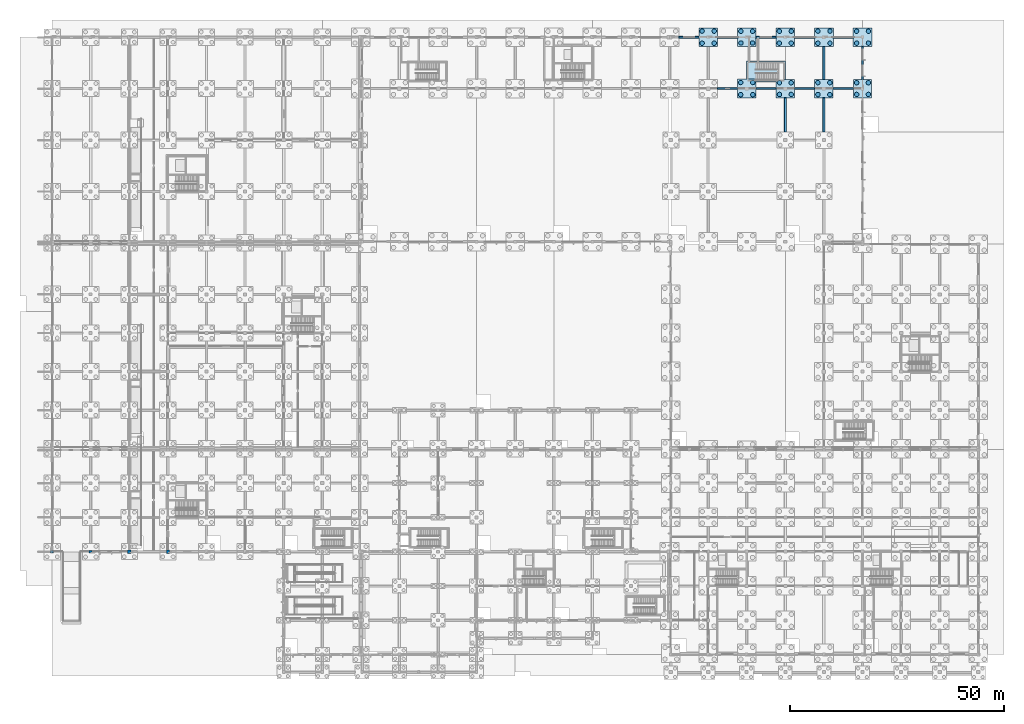
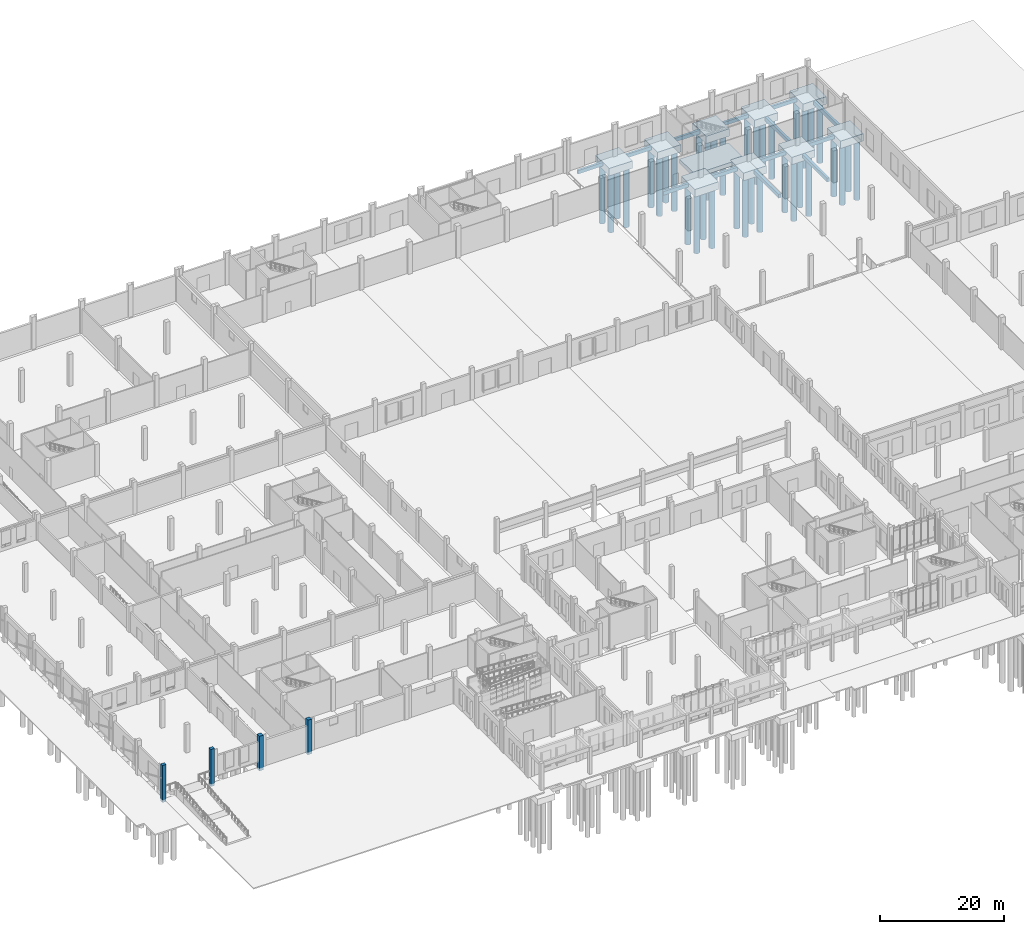
# One storey, part 23 of 99: 36 piles, 23 footings, 4 columns.
"""IFC4 building model written with IfcOpenShell, lengths in metres."""

from ifc_helpers import new_model, si_unit, direction, frame, origin, origin_2d, place, context, subcontext, project, spatial, polyline, rectangle, circle, outline, extrude, material, layer, layer_set, material_profile, profile_set, type_object, element, save


model = new_model("IFC4")

# Units and contexts
model_context = context("Model", 3, precision=1e-05, world=origin(), true_north=direction((0.0, 1.0)))
body_context = subcontext(model_context, "Body", "Model", "MODEL_VIEW")
ifc_project = project(units=[si_unit("LENGTHUNIT", "METRE"), si_unit("AREAUNIT", "SQUARE_METRE"), si_unit("VOLUMEUNIT", "CUBIC_METRE"), si_unit("PLANEANGLEUNIT", "RADIAN"), si_unit("MASSUNIT", "GRAM", prefix="KILO")], contexts=[model_context])

# Site, building, storey
site_placement = place(None, origin())
site = spatial("IfcSite", under=ifc_project, at=site_placement, CompositionType="ELEMENT")
building_placement = place(site_placement, origin())
building = spatial("IfcBuilding", under=site, at=building_placement, Name="Zacnel Wholesale Market", CompositionType="ELEMENT")
storey_placement = place(building_placement, origin())
storey = spatial("IfcBuildingStorey", under=building, at=storey_placement, Name="L01", CompositionType="ELEMENT", Elevation=0.0)

# Footings
ifc_material_1 = material(Name="Concrete C35/45", Category="concrete")
ifc_material_profile_1 = material_profile(ifc_material_1, rectangle(XDim=0.39990234375, YDim=0.699951171875, at=origin_2d()), Name="CT 400x700")
ifc_profile_set_1 = profile_set([ifc_material_profile_1], Name="Concrete C35/45")
footing_type_1 = type_object("IfcFootingType", Name="FTG-CT400X700", PredefinedType="FOOTING_BEAM", material=ifc_profile_set_1)
footing_1_placement = place(storey_placement, frame((155.1650390625, 132.0, -0.85009765625), z_axis=(1.0, 0.0, 0.0), x_axis=(0.0, 1.0, 0.0)))
element("IfcFooting", 1, at=footing_1_placement, inside=storey, type_object=footing_type_1, Name="Ground tie beam CT-X-0489", PredefinedType="FOOTING_BEAM", context=body_context, shape_type="SweptSolid", body=[
    extrude(rectangle(XDim=0.39990234375, YDim=0.699951171875, at=origin_2d()), origin(), (0.0, 0.0, 1.0), 4.64501953125),
])
footing_2_placement = place(storey_placement, frame((164.18994140625, 132.0, -0.85009765625), z_axis=(1.0, 0.0, 0.0), x_axis=(0.0, 1.0, 0.0)))
element("IfcFooting", 2, at=footing_2_placement, inside=storey, type_object=footing_type_1, Name="Ground tie beam CT-X-0490", PredefinedType="FOOTING_BEAM", context=body_context, shape_type="SweptSolid", body=[
    extrude(rectangle(XDim=0.39990234375, YDim=0.699951171875, at=origin_2d()), origin(), (0.0, 0.0, 1.0), 4.670166015625),
])
for number, where, z_axis, x_axis, name in (
    (3, (173.139892578125, 132.0, -0.85009765625), (1.0, 0.0, 0.0), (0.0, 1.0, 0.0), "Ground tie beam CT-X-0491"),
    (4, (182.1650390625, 132.0, -0.85009765625), (1.0, 0.0, 0.0), (0.0, 1.0, 0.0), "Ground tie beam CT-X-0492"),
):
    element("IfcFooting", number, at=place(storey_placement, frame(where, z_axis=z_axis, x_axis=x_axis)), inside=storey, type_object=footing_type_1, Name=name, PredefinedType="FOOTING_BEAM", context=body_context, shape_type="SweptSolid", body=[
        extrude(rectangle(XDim=0.39990234375, YDim=0.699951171875, at=origin_2d()), origin(), (0.0, 0.0, 1.0), 4.695068359375),
    ])
footing_3_placement = place(storey_placement, frame((146.18994140625, 144.0, -0.85009765625), z_axis=(1.0, 0.0, 0.0), x_axis=(0.0, 1.0, 0.0)))
element("IfcFooting", 5, at=footing_3_placement, inside=storey, type_object=footing_type_1, Name="Ground tie beam CT-X-0509", PredefinedType="FOOTING_BEAM", context=body_context, shape_type="SweptSolid", body=[
    extrude(rectangle(XDim=0.39990234375, YDim=0.699951171875, at=origin_2d()), origin(), (0.0, 0.0, 1.0), 4.6201171875),
])
footing_4_placement = place(storey_placement, frame((155.18994140625, 144.0, -0.85009765625), z_axis=(1.0, 0.0, 0.0), x_axis=(0.0, 1.0, 0.0)))
element("IfcFooting", 6, at=footing_4_placement, inside=storey, type_object=footing_type_1, Name="Ground tie beam CT-X-0510", PredefinedType="FOOTING_BEAM", context=body_context, shape_type="SweptSolid", body=[
    extrude(rectangle(XDim=0.39990234375, YDim=0.699951171875, at=origin_2d()), origin(), (0.0, 0.0, 1.0), 4.670166015625),
])
footing_5_placement = place(storey_placement, frame((164.139892578125, 144.0, -0.85009765625), z_axis=(1.0, 0.0, 0.0), x_axis=(0.0, 1.0, 0.0)))
element("IfcFooting", 7, at=footing_5_placement, inside=storey, type_object=footing_type_1, Name="Ground tie beam CT-X-0511", PredefinedType="FOOTING_BEAM", context=body_context, shape_type="SweptSolid", body=[
    extrude(rectangle(XDim=0.39990234375, YDim=0.699951171875, at=origin_2d()), origin(), (0.0, 0.0, 1.0), 4.695068359375),
])
for number, where, z_axis, x_axis, name in (
    (8, (173.1650390625, 144.0, -0.85009765625), (1.0, 0.0, 0.0), (0.0, 1.0, 0.0), "Ground tie beam CT-X-0512"),
    (9, (182.18994140625, 144.0, -0.85009765625), (1.0, 0.0, 0.0), (0.0, 1.0, 0.0), "Ground tie beam CT-X-0513"),
):
    element("IfcFooting", number, at=place(storey_placement, frame(where, z_axis=z_axis, x_axis=x_axis)), inside=storey, type_object=footing_type_1, Name=name, PredefinedType="FOOTING_BEAM", context=body_context, shape_type="SweptSolid", body=[
        extrude(rectangle(XDim=0.39990234375, YDim=0.699951171875, at=origin_2d()), origin(), (0.0, 0.0, 1.0), 4.64501953125),
    ])
ifc_material_2 = material(Name="Concrete C35/45", Category="concrete")
ifc_material_profile_2 = material_profile(ifc_material_2, rectangle(XDim=0.449951171875, YDim=0.75, at=origin_2d()), Name="CT 450x750")
ifc_profile_set_2 = profile_set([ifc_material_profile_2], Name="Concrete C35/45")
footing_type_2 = type_object("IfcFootingType", Name="FTG-CT450X750", PredefinedType="FOOTING_BEAM", material=ifc_profile_set_2)
footing_6_placement = place(storey_placement, frame((171.0, 121.889892578125, -0.875), z_axis=(0.0, 1.0, 0.0), x_axis=(-1.0, 0.0, 0.0)))
element("IfcFooting", 10, at=footing_6_placement, inside=storey, type_object=footing_type_2, Name="Ground tie beam CT-Y-0179", PredefinedType="FOOTING_BEAM", context=body_context, shape_type="SweptSolid", body=[
    extrude(rectangle(XDim=0.449951171875, YDim=0.75, at=origin_2d()), origin(), (0.0, 0.0, 1.0), 7.97021484375),
])
footing_7_placement = place(storey_placement, frame((180.0, 121.9150390625, -0.875), z_axis=(0.0, 1.0, 0.0), x_axis=(-1.0, 0.0, 0.0)))
element("IfcFooting", 11, at=footing_7_placement, inside=storey, type_object=footing_type_2, Name="Ground tie beam CT-Y-0193", PredefinedType="FOOTING_BEAM", context=body_context, shape_type="SweptSolid", body=[
    extrude(rectangle(XDim=0.449951171875, YDim=0.75, at=origin_2d()), origin(), (0.0, 0.0, 1.0), 7.919921875),
])
footing_8_placement = place(storey_placement, frame((180.0, 134.1650390625, -0.875), z_axis=(0.0, 1.0, 0.0), x_axis=(-1.0, 0.0, 0.0)))
element("IfcFooting", 12, at=footing_8_placement, inside=storey, type_object=footing_type_2, Name="Ground tie beam CT-Y-0194", PredefinedType="FOOTING_BEAM", context=body_context, shape_type="SweptSolid", body=[
    extrude(rectangle(XDim=0.449951171875, YDim=0.75, at=origin_2d()), origin(), (0.0, 0.0, 1.0), 7.64501953125),
])
footing_9_placement = place(storey_placement, frame((189.0, 134.139892578125, -0.875), z_axis=(0.0, 1.0, 0.0), x_axis=(-1.0, 0.0, 0.0)))
element("IfcFooting", 13, at=footing_9_placement, inside=storey, type_object=footing_type_2, Name="Ground tie beam CT-Y-0205", PredefinedType="FOOTING_BEAM", context=body_context, shape_type="SweptSolid", body=[
    extrude(rectangle(XDim=0.449951171875, YDim=0.75, at=origin_2d()), origin(), (0.0, 0.0, 1.0), 7.695068359375),
])
ifc_material_3 = material(Name="Concrete C35/45", Category="concrete")
ifc_layer_1 = layer(ifc_material_3, 1.449951171875)
ifc_layer_set_1 = layer_set([ifc_layer_1], Name="Concrete C35/45")
footing_type_3 = type_object("IfcFootingType", Name="FTG-PC-4280X4280X1450", PredefinedType="PILE_CAP", material=ifc_layer_set_1)
for number, where, z_axis, x_axis, name in (
    (14, (162.0, 144.0, -1.9501953125), (0.0, 0.0, 1.0), (1.0, 0.0, 0.0), "Pile cap PC-16 (STR-PC-231)"),
    (15, (189.0, 132.0, -1.9501953125), (0.0, 0.0, 1.0), (1.0, 0.0, 0.0), "Pile cap PC-16 (STR-PC-267)"),
):
    element("IfcFooting", number, at=place(storey_placement, frame(where, z_axis=z_axis, x_axis=x_axis)), inside=storey, type_object=footing_type_3, Name=name, PredefinedType="PILE_CAP", context=body_context, shape_type="SweptSolid", body=[
        extrude(rectangle(XDim=4.280029296875, YDim=4.280029296875, at=origin_2d()), origin(), (0.0, 0.0, 1.0), 1.449951171875),
    ])
ifc_material_4 = material(Name="Concrete C35/45", Category="concrete")
ifc_layer_2 = layer(ifc_material_4, 1.5)
ifc_layer_set_2 = layer_set([ifc_layer_2], Name="Concrete C35/45")
footing_type_4 = type_object("IfcFootingType", Name="FTG-PC-4280X4280X1500", PredefinedType="PILE_CAP", material=ifc_layer_set_2)
footing_10_placement = place(storey_placement, frame((171.0, 132.0, -2.0), z_axis=(0.0, 0.0, 1.0), x_axis=(1.0, 0.0, 0.0)))
element("IfcFooting", 16, at=footing_10_placement, inside=storey, type_object=footing_type_4, Name="Pile cap PC-15 (STR-PC-240)", PredefinedType="PILE_CAP", context=body_context, shape_type="SweptSolid", body=[
    extrude(rectangle(XDim=4.280029296875, YDim=4.280029296875, at=origin_2d()), origin(), (0.0, 0.0, 1.0), 1.5),
])
ifc_material_5 = material(Name="Concrete C35/45", Category="concrete")
ifc_layer_3 = layer(ifc_material_5, 1.449951171875)
ifc_layer_set_3 = layer_set([ifc_layer_3], Name="Concrete C35/45")
footing_type_5 = type_object("IfcFootingType", Name="FTG-PC-4330X4330X1450", PredefinedType="PILE_CAP", material=ifc_layer_set_3)
for number, where, z_axis, x_axis, name in (
    (17, (171.0, 144.0, -1.9501953125), (0.0, 0.0, 1.0), (1.0, 0.0, 0.0), "Pile cap PC-19 (STR-PC-241)"),
    (18, (180.0, 132.0, -1.9501953125), (0.0, 0.0, 1.0), (1.0, 0.0, 0.0), "Pile cap PC-19 (STR-PC-253)"),
):
    element("IfcFooting", number, at=place(storey_placement, frame(where, z_axis=z_axis, x_axis=x_axis)), inside=storey, type_object=footing_type_5, Name=name, PredefinedType="PILE_CAP", context=body_context, shape_type="SweptSolid", body=[
        extrude(rectangle(XDim=4.330078125, YDim=4.330078125, at=origin_2d()), origin(), (0.0, 0.0, 1.0), 1.449951171875),
    ])
ifc_material_6 = material(Name="Concrete C35/45", Category="concrete")
ifc_layer_4 = layer(ifc_material_6, 1.5)
ifc_layer_set_4 = layer_set([ifc_layer_4], Name="Concrete C35/45")
footing_type_6 = type_object("IfcFootingType", Name="FTG-PC-4330X4330X1500", PredefinedType="PILE_CAP", material=ifc_layer_set_4)
footing_11_placement = place(storey_placement, frame((189.0, 144.0, -2.0), z_axis=(0.0, 0.0, 1.0), x_axis=(1.0, 0.0, 0.0)))
element("IfcFooting", 19, at=footing_11_placement, inside=storey, type_object=footing_type_6, Name="Pile cap PC-17 (STR-PC-268)", PredefinedType="PILE_CAP", context=body_context, shape_type="SweptSolid", body=[
    extrude(rectangle(XDim=4.330078125, YDim=4.330078125, at=origin_2d()), origin(), (0.0, 0.0, 1.0), 1.5),
])
ifc_material_7 = material(Name="Concrete C35/45", Category="concrete")
ifc_layer_5 = layer(ifc_material_7, 1.449951171875)
ifc_layer_set_5 = layer_set([ifc_layer_5], Name="Concrete C35/45")
footing_type_7 = type_object("IfcFootingType", Name="FTG-PC-4380X4380X1450", PredefinedType="PILE_CAP", material=ifc_layer_set_5)
footing_12_placement = place(storey_placement, frame((153.0, 144.0, -1.9501953125), z_axis=(0.0, 0.0, 1.0), x_axis=(1.0, 0.0, 0.0)))
element("IfcFooting", 20, at=footing_12_placement, inside=storey, type_object=footing_type_7, Name="Pile cap PC-14 (STR-PC-221)", PredefinedType="PILE_CAP", context=body_context, shape_type="SweptSolid", body=[
    extrude(rectangle(XDim=4.3798828125, YDim=4.3798828125, at=origin_2d()), origin(), (0.0, 0.0, 1.0), 1.449951171875),
])
ifc_material_8 = material(Name="Concrete C35/45", Category="concrete")
ifc_layer_6 = layer(ifc_material_8, 1.5)
ifc_layer_set_6 = layer_set([ifc_layer_6], Name="Concrete C35/45")
footing_type_8 = type_object("IfcFootingType", Name="FTG-PC-4380X4380X1500", PredefinedType="PILE_CAP", material=ifc_layer_set_6)
for number, where, z_axis, x_axis, name in (
    (21, (162.0, 132.0, -2.0), (0.0, 0.0, 1.0), (1.0, 0.0, 0.0), "Pile cap PC-18 (STR-PC-230)"),
    (22, (180.0, 144.0, -2.0), (0.0, 0.0, 1.0), (1.0, 0.0, 0.0), "Pile cap PC-18 (STR-PC-254)"),
):
    element("IfcFooting", number, at=place(storey_placement, frame(where, z_axis=z_axis, x_axis=x_axis)), inside=storey, type_object=footing_type_8, Name=name, PredefinedType="PILE_CAP", context=body_context, shape_type="SweptSolid", body=[
        extrude(rectangle(XDim=4.3798828125, YDim=4.3798828125, at=origin_2d()), origin(), (0.0, 0.0, 1.0), 1.5),
    ])
ifc_material_9 = material(Name="Concrete C35/45", Category="concrete")
ifc_layer_7 = layer(ifc_material_9, 0.85009765625)
ifc_layer_set_7 = layer_set([ifc_layer_7], Name="Concrete C35/45")
footing_type_9 = type_object("IfcFootingType", Name="FTG-STAIR-MAT-7800X6800", PredefinedType="PAD_FOOTING", material=ifc_layer_set_7)
footing_13_placement = place(storey_placement, frame((0.0, 0.0, -1.35009765625)))
element("IfcFooting", 23, at=footing_13_placement, inside=storey, type_object=footing_type_9, Name="Stair ST-21 mat footing 016", PredefinedType="PAD_FOOTING", context=body_context, shape_type="SweptSolid", body=[
    extrude(outline(polyline([(171.050048828125, 138.449951171875), (171.050048828125, 134.14208984375), (168.860107421875, 134.14208984375), (168.85986328125, 134.14208984375), (168.859619140625, 134.14208984375), (168.859375, 134.141845703125), (168.859130859375, 134.141845703125), (168.859130859375, 134.141845703125), (168.85888671875, 134.1416015625), (168.858642578125, 134.1416015625), (168.858642578125, 134.141357421875), (168.8583984375, 134.141357421875), (168.8583984375, 134.14111328125), (168.858154296875, 134.140869140625), (168.858154296875, 134.140869140625), (168.858154296875, 134.140625), (168.85791015625, 134.140380859375), (168.85791015625, 134.14013671875), (168.85791015625, 134.139892578125), (168.85791015625, 133.550048828125), (164.19189453125, 133.550048828125), (164.19189453125, 134.18994140625), (164.19189453125, 134.190185546875), (164.19189453125, 134.1904296875), (164.19189453125, 134.190673828125), (164.19189453125, 134.19091796875), (164.19189453125, 134.19091796875), (164.191650390625, 134.191162109375), (164.19140625, 134.19140625), (164.19140625, 134.19140625), (164.19140625, 134.19140625), (164.191162109375, 134.191650390625), (164.19091796875, 134.19189453125), (164.19091796875, 134.19189453125), (164.190673828125, 134.19189453125), (164.1904296875, 134.19189453125), (164.190185546875, 134.19189453125), (164.18994140625, 134.19189453125), (161.949951171875, 134.19189453125), (161.949951171875, 138.449951171875), (171.050048828125, 138.449951171875)])), origin(), (0.0, 0.0, 1.0), 0.85009765625),
])

# Piles
ifc_material_10 = material(Name="Concrete C35/45", Category="concrete")
ifc_material_profile_3 = material_profile(ifc_material_10, circle(Radius=0.52490234375, at=origin_2d()), Name="BORED PILE D1050")
ifc_profile_set_3 = profile_set([ifc_material_profile_3], Name="Concrete C35/45")
pile_type = type_object("IfcPileType", Name="PILE-BORED-1050", PredefinedType="BORED", material=ifc_profile_set_3)
for number, where, z_axis, x_axis, name in (
    (24, (151.58251953125, 142.58251953125, -1.85009765625), (0.0, 0.0, -1.0), (1.0, 0.0, 0.0), "Bored pile STR-PILE-221-01"),
    (25, (151.58251953125, 145.41748046875, -1.85009765625), (0.0, 0.0, -1.0), (1.0, 0.0, 0.0), "Bored pile STR-PILE-221-02"),
    (26, (154.41748046875, 142.58251953125, -1.85009765625), (0.0, 0.0, -1.0), (1.0, 0.0, 0.0), "Bored pile STR-PILE-221-03"),
    (27, (154.41748046875, 145.41748046875, -1.85009765625), (0.0, 0.0, -1.0), (1.0, 0.0, 0.0), "Bored pile STR-PILE-221-04"),
):
    element("IfcPile", number, at=place(storey_placement, frame(where, z_axis=z_axis, x_axis=x_axis)), inside=storey, type_object=pile_type, Name=name, PredefinedType="BORED", context=body_context, shape_type="SweptSolid", body=[
        extrude(circle(Radius=0.52490234375, at=origin_2d()), origin(), (0.0, 0.0, 1.0), 11.64990234375),
    ])
for number, where, z_axis, x_axis, name in (
    (28, (160.58251953125, 130.58251953125, -1.89990234375), (0.0, 0.0, -1.0), (1.0, 0.0, 0.0), "Bored pile STR-PILE-230-01"),
    (29, (160.58251953125, 133.41748046875, -1.89990234375), (0.0, 0.0, -1.0), (1.0, 0.0, 0.0), "Bored pile STR-PILE-230-02"),
    (30, (163.41748046875, 130.58251953125, -1.89990234375), (0.0, 0.0, -1.0), (1.0, 0.0, 0.0), "Bored pile STR-PILE-230-03"),
    (31, (163.41748046875, 133.41748046875, -1.89990234375), (0.0, 0.0, -1.0), (1.0, 0.0, 0.0), "Bored pile STR-PILE-230-04"),
):
    element("IfcPile", number, at=place(storey_placement, frame(where, z_axis=z_axis, x_axis=x_axis)), inside=storey, type_object=pile_type, Name=name, PredefinedType="BORED", context=body_context, shape_type="SweptSolid", body=[
        extrude(circle(Radius=0.52490234375, at=origin_2d()), origin(), (0.0, 0.0, 1.0), 11.60009765625),
    ])
for number, where, z_axis, x_axis, name in (
    (32, (160.635009765625, 142.635009765625, -1.85009765625), (0.0, 0.0, -1.0), (1.0, 0.0, 0.0), "Bored pile STR-PILE-231-01"),
    (33, (160.635009765625, 145.364990234375, -1.85009765625), (0.0, 0.0, -1.0), (1.0, 0.0, 0.0), "Bored pile STR-PILE-231-02"),
    (34, (163.364990234375, 142.635009765625, -1.85009765625), (0.0, 0.0, -1.0), (1.0, 0.0, 0.0), "Bored pile STR-PILE-231-03"),
    (35, (163.364990234375, 145.364990234375, -1.85009765625), (0.0, 0.0, -1.0), (1.0, 0.0, 0.0), "Bored pile STR-PILE-231-04"),
):
    element("IfcPile", number, at=place(storey_placement, frame(where, z_axis=z_axis, x_axis=x_axis)), inside=storey, type_object=pile_type, Name=name, PredefinedType="BORED", context=body_context, shape_type="SweptSolid", body=[
        extrude(circle(Radius=0.52490234375, at=origin_2d()), origin(), (0.0, 0.0, 1.0), 11.64990234375),
    ])
for number, where, z_axis, x_axis, name in (
    (36, (169.635009765625, 130.635009765625, -1.89990234375), (0.0, 0.0, -1.0), (1.0, 0.0, 0.0), "Bored pile STR-PILE-240-01"),
    (37, (169.635009765625, 133.364990234375, -1.89990234375), (0.0, 0.0, -1.0), (1.0, 0.0, 0.0), "Bored pile STR-PILE-240-02"),
    (38, (172.364990234375, 130.635009765625, -1.89990234375), (0.0, 0.0, -1.0), (1.0, 0.0, 0.0), "Bored pile STR-PILE-240-03"),
    (39, (172.364990234375, 133.364990234375, -1.89990234375), (0.0, 0.0, -1.0), (1.0, 0.0, 0.0), "Bored pile STR-PILE-240-04"),
):
    element("IfcPile", number, at=place(storey_placement, frame(where, z_axis=z_axis, x_axis=x_axis)), inside=storey, type_object=pile_type, Name=name, PredefinedType="BORED", context=body_context, shape_type="SweptSolid", body=[
        extrude(circle(Radius=0.52490234375, at=origin_2d()), origin(), (0.0, 0.0, 1.0), 11.60009765625),
    ])
for number, where, z_axis, x_axis, name in (
    (40, (169.6083984375, 142.6083984375, -1.85009765625), (0.0, 0.0, -1.0), (1.0, 0.0, 0.0), "Bored pile STR-PILE-241-01"),
    (41, (169.6083984375, 145.3916015625, -1.85009765625), (0.0, 0.0, -1.0), (1.0, 0.0, 0.0), "Bored pile STR-PILE-241-02"),
    (42, (172.3916015625, 142.6083984375, -1.85009765625), (0.0, 0.0, -1.0), (1.0, 0.0, 0.0), "Bored pile STR-PILE-241-03"),
    (43, (172.3916015625, 145.3916015625, -1.85009765625), (0.0, 0.0, -1.0), (1.0, 0.0, 0.0), "Bored pile STR-PILE-241-04"),
    (44, (178.6083984375, 130.6083984375, -1.85009765625), (0.0, 0.0, -1.0), (1.0, 0.0, 0.0), "Bored pile STR-PILE-253-01"),
    (45, (178.6083984375, 133.3916015625, -1.85009765625), (0.0, 0.0, -1.0), (1.0, 0.0, 0.0), "Bored pile STR-PILE-253-02"),
    (46, (181.3916015625, 130.6083984375, -1.85009765625), (0.0, 0.0, -1.0), (1.0, 0.0, 0.0), "Bored pile STR-PILE-253-03"),
    (47, (181.3916015625, 133.3916015625, -1.85009765625), (0.0, 0.0, -1.0), (1.0, 0.0, 0.0), "Bored pile STR-PILE-253-04"),
):
    element("IfcPile", number, at=place(storey_placement, frame(where, z_axis=z_axis, x_axis=x_axis)), inside=storey, type_object=pile_type, Name=name, PredefinedType="BORED", context=body_context, shape_type="SweptSolid", body=[
        extrude(circle(Radius=0.52490234375, at=origin_2d()), origin(), (0.0, 0.0, 1.0), 11.64990234375),
    ])
for number, where, z_axis, x_axis, name in (
    (48, (178.58251953125, 142.58251953125, -1.89990234375), (0.0, 0.0, -1.0), (1.0, 0.0, 0.0), "Bored pile STR-PILE-254-01"),
    (49, (178.58251953125, 145.41748046875, -1.89990234375), (0.0, 0.0, -1.0), (1.0, 0.0, 0.0), "Bored pile STR-PILE-254-02"),
    (50, (181.41748046875, 142.58251953125, -1.89990234375), (0.0, 0.0, -1.0), (1.0, 0.0, 0.0), "Bored pile STR-PILE-254-03"),
    (51, (181.41748046875, 145.41748046875, -1.89990234375), (0.0, 0.0, -1.0), (1.0, 0.0, 0.0), "Bored pile STR-PILE-254-04"),
):
    element("IfcPile", number, at=place(storey_placement, frame(where, z_axis=z_axis, x_axis=x_axis)), inside=storey, type_object=pile_type, Name=name, PredefinedType="BORED", context=body_context, shape_type="SweptSolid", body=[
        extrude(circle(Radius=0.52490234375, at=origin_2d()), origin(), (0.0, 0.0, 1.0), 11.60009765625),
    ])
for number, where, z_axis, x_axis, name in (
    (52, (187.635009765625, 130.635009765625, -1.85009765625), (0.0, 0.0, -1.0), (1.0, 0.0, 0.0), "Bored pile STR-PILE-267-01"),
    (53, (187.635009765625, 133.364990234375, -1.85009765625), (0.0, 0.0, -1.0), (1.0, 0.0, 0.0), "Bored pile STR-PILE-267-02"),
    (54, (190.364990234375, 130.635009765625, -1.85009765625), (0.0, 0.0, -1.0), (1.0, 0.0, 0.0), "Bored pile STR-PILE-267-03"),
    (55, (190.364990234375, 133.364990234375, -1.85009765625), (0.0, 0.0, -1.0), (1.0, 0.0, 0.0), "Bored pile STR-PILE-267-04"),
):
    element("IfcPile", number, at=place(storey_placement, frame(where, z_axis=z_axis, x_axis=x_axis)), inside=storey, type_object=pile_type, Name=name, PredefinedType="BORED", context=body_context, shape_type="SweptSolid", body=[
        extrude(circle(Radius=0.52490234375, at=origin_2d()), origin(), (0.0, 0.0, 1.0), 11.64990234375),
    ])
for number, where, z_axis, x_axis, name in (
    (56, (187.6083984375, 142.6083984375, -1.89990234375), (0.0, 0.0, -1.0), (1.0, 0.0, 0.0), "Bored pile STR-PILE-268-01"),
    (57, (187.6083984375, 145.3916015625, -1.89990234375), (0.0, 0.0, -1.0), (1.0, 0.0, 0.0), "Bored pile STR-PILE-268-02"),
    (58, (190.3916015625, 142.6083984375, -1.89990234375), (0.0, 0.0, -1.0), (1.0, 0.0, 0.0), "Bored pile STR-PILE-268-03"),
    (59, (190.3916015625, 145.3916015625, -1.89990234375), (0.0, 0.0, -1.0), (1.0, 0.0, 0.0), "Bored pile STR-PILE-268-04"),
):
    element("IfcPile", number, at=place(storey_placement, frame(where, z_axis=z_axis, x_axis=x_axis)), inside=storey, type_object=pile_type, Name=name, PredefinedType="BORED", context=body_context, shape_type="SweptSolid", body=[
        extrude(circle(Radius=0.52490234375, at=origin_2d()), origin(), (0.0, 0.0, 1.0), 11.60009765625),
    ])

# Columns
ifc_material_11 = material(Name="Precast concrete C45/55", Category="concrete")
ifc_material_profile_4 = material_profile(ifc_material_11, rectangle(XDim=0.699951171875, YDim=0.60009765625, at=origin_2d()), Name="PC 700x600")
ifc_profile_set_4 = profile_set([ifc_material_profile_4], Name="Precast concrete C45/55")
column_type_1 = type_object("IfcColumnType", Name="COL-PC700X600", PredefinedType="COLUMN", material=ifc_profile_set_4)
for number, where, z_axis, x_axis, name in (
    (60, (0.0, 24.0, -0.5), (0.0, 0.0, 1.0), (1.0, 0.0, 0.0), "Precast column L01-0001"),
    (61, (9.0, 24.0, -0.5), (0.0, 0.0, 1.0), (1.0, 0.0, 0.0), "Precast column L01-0016"),
):
    element("IfcColumn", number, at=place(storey_placement, frame(where, z_axis=z_axis, x_axis=x_axis)), inside=storey, type_object=column_type_1, Name=name, PredefinedType="COLUMN", context=body_context, shape_type="SweptSolid", body=[
        extrude(rectangle(XDim=0.699951171875, YDim=0.60009765625, at=origin_2d()), origin(), (0.0, 0.0, 1.0), 7.300048828125),
    ])
ifc_material_12 = material(Name="Precast concrete C45/55", Category="concrete")
ifc_material_profile_5 = material_profile(ifc_material_12, rectangle(XDim=0.75, YDim=0.75, at=origin_2d()), Name="PC 750x750")
ifc_profile_set_5 = profile_set([ifc_material_profile_5], Name="Precast concrete C45/55")
column_type_2 = type_object("IfcColumnType", Name="COL-PC750", PredefinedType="COLUMN", material=ifc_profile_set_5)
for number, where, z_axis, x_axis, name in (
    (62, (18.0, 24.0, -0.5), (0.0, 0.0, 1.0), (1.0, 0.0, 0.0), "Precast column L01-0031"),
    (63, (27.0, 24.0, -0.5), (0.0, 0.0, 1.0), (1.0, 0.0, 0.0), "Precast column L01-0046"),
):
    element("IfcColumn", number, at=place(storey_placement, frame(where, z_axis=z_axis, x_axis=x_axis)), inside=storey, type_object=column_type_2, Name=name, PredefinedType="COLUMN", context=body_context, shape_type="SweptSolid", body=[
        extrude(rectangle(XDim=0.75, YDim=0.75, at=origin_2d()), origin(), (0.0, 0.0, 1.0), 6.800048828125),
    ])

save(model, "model.ifc")
